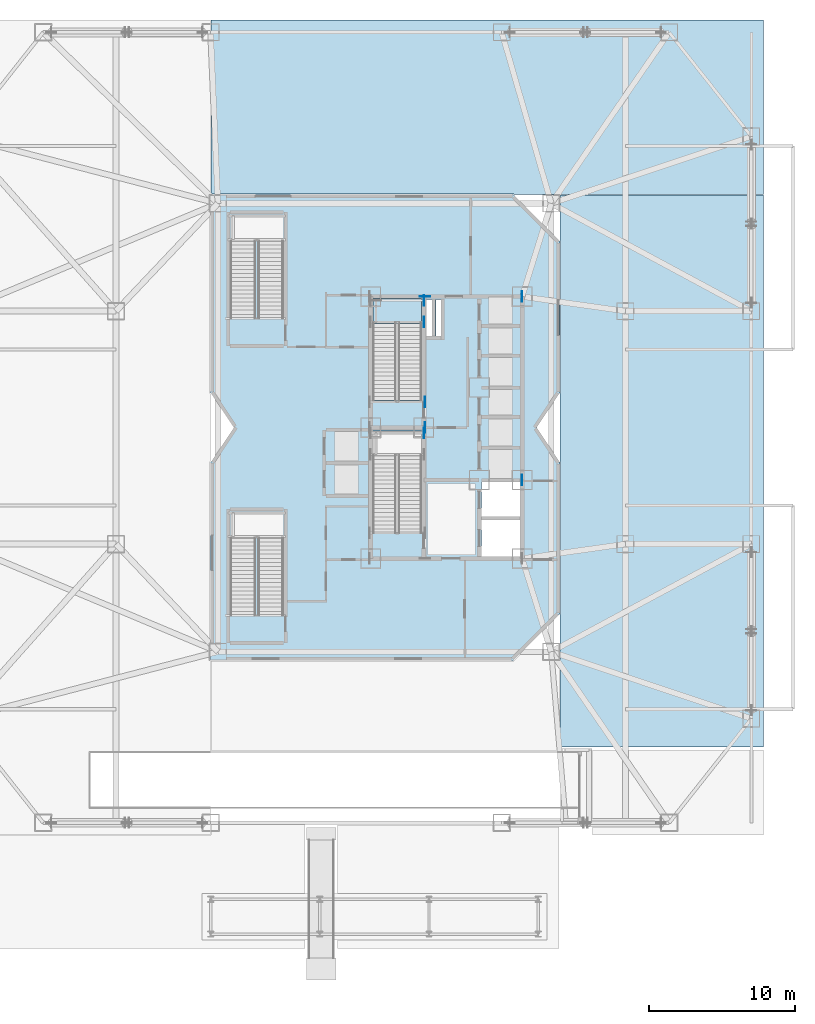
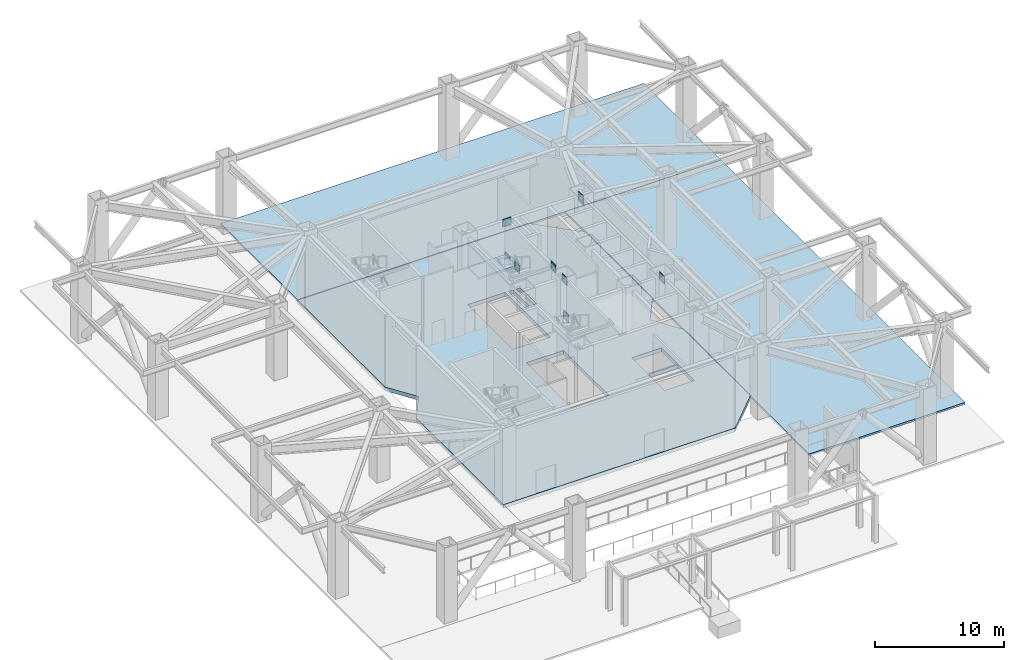
# One storey, part 6 of 14: 9 plates, 4 slabs, 1 element without a shape of its own.
"""IFC4 building model written with IfcOpenShell, lengths in metres."""

import ifcopenshell
import ifcopenshell.guid

model = None  # the IFC model being written
_history = None  # IfcOwnerHistory: only IFC2X3 demands one
_inside = {}  # id of a spatial element -> (the spatial element, [elements in it])
_under = {}  # id of a project, library or spatial element -> (it, [spatial elements below it])
_declared = {}  # id of a project -> (the project, [libraries it declares])
_typed = {}  # id of a type object -> (the type object, [elements of that type])
_made_of = {}  # id of a material, layer set ... -> (it, [elements and type objects made of it])


def new_model(schema):
    """Start an empty IFC model of exactly this schema.

    Asked for "IFC4X3", IfcOpenShell would pick the latest addendum, in which some entities
    have other attributes; the version numbers below select the first issue.
    IFC2X3 requires an IfcOwnerHistory on every rooted entity: one is made here for all.
    """
    global model, _history
    if schema == "IFC4X3":
        model = ifcopenshell.file(schema_version=(4, 3, 0, 0))
    else:
        model = ifcopenshell.file(schema=schema)
    _inside.clear()
    _under.clear()
    _declared.clear()
    _typed.clear()
    _made_of.clear()
    _history = None
    if model.schema == "IFC2X3":
        org = make("IfcOrganization", Name="unknown")
        user = make(
            "IfcPersonAndOrganization",
            ThePerson=make("IfcPerson", FamilyName="unknown"),
            TheOrganization=org,
        )
        app = make(
            "IfcApplication",
            ApplicationDeveloper=org,
            Version="unknown",
            ApplicationFullName="unknown",
            ApplicationIdentifier="unknown",
        )
        _history = make(
            "IfcOwnerHistory",
            OwningUser=user,
            OwningApplication=app,
            ChangeAction="ADDED",
            CreationDate=0,
        )
    return model


def make(cls, **values):
    """One entity of the class cls with the attributes given. An attribute that is None is left unset."""
    return model.create_entity(
        cls, **{name: value for name, value in values.items() if value is not None}
    )


def rooted(cls, **values):
    """An entity with a GlobalId (a new one), such as an element, a storey or a relation."""
    return make(cls, GlobalId=ifcopenshell.guid.new(), OwnerHistory=_history, **values)


def si_unit(unit_type, name, prefix=None):
    """IfcSIUnit, for example si_unit("LENGTHUNIT", "METRE", prefix="MILLI")."""
    return make("IfcSIUnit", UnitType=unit_type, Prefix=prefix, Name=name)


def assignment(units):
    """IfcUnitAssignment: the units of a project."""
    return None if units is None else make("IfcUnitAssignment", Units=units)


def point(xyz):
    """IfcCartesianPoint."""
    return None if xyz is None else make("IfcCartesianPoint", Coordinates=xyz)


def direction(xyz):
    """IfcDirection."""
    return None if xyz is None else make("IfcDirection", DirectionRatios=xyz)


def frame(location, z_axis=None, x_axis=None):
    """IfcAxis2Placement3D, a coordinate frame: its origin and axes. An axis left out is left unset."""
    return make(
        "IfcAxis2Placement3D",
        Location=point(location),
        Axis=direction(z_axis),
        RefDirection=direction(x_axis),
    )


def frame_2d(location, x_axis=None):
    """IfcAxis2Placement2D, a coordinate frame in the plane: its origin and x axis."""
    return make(
        "IfcAxis2Placement2D", Location=point(location), RefDirection=direction(x_axis)
    )


def origin():
    """The frame at (0, 0, 0) with its axes left unset."""
    return frame((0.0, 0.0, 0.0))


def origin_2d():
    """The frame at (0, 0) in the plane with its x axis left unset."""
    return frame_2d((0.0, 0.0))


def place(relative_to, where):
    """IfcLocalPlacement: puts the frame where relative to a parent placement (None: the world)."""
    return make(
        "IfcLocalPlacement", PlacementRelTo=relative_to, RelativePlacement=where
    )


def context(
    kind, dimensions, precision=None, world=None, true_north=None, identifier=None
):
    """IfcGeometricRepresentationContext, for example the 3D "Model" context."""
    return make(
        "IfcGeometricRepresentationContext",
        ContextIdentifier=identifier,
        ContextType=kind,
        CoordinateSpaceDimension=dimensions,
        Precision=precision,
        WorldCoordinateSystem=world,
        TrueNorth=true_north,
    )


def subcontext(parent, identifier, kind, view, scale=None):
    """IfcGeometricRepresentationSubContext, for example "Body" below "Model"."""
    return make(
        "IfcGeometricRepresentationSubContext",
        ContextIdentifier=identifier,
        ContextType=kind,
        ParentContext=parent,
        TargetScale=scale,
        TargetView=view,
    )


def project(units=None, contexts=None):
    """IfcProject with its units and contexts."""
    return rooted(
        "IfcProject",
        Name="project",
        RepresentationContexts=contexts,
        UnitsInContext=assignment(units),
    )


def spatial(cls, under=None, at=None, **own):
    """A site, building, storey or space (cls), placed at a placement, below another one or the project."""
    s = rooted(cls, ObjectPlacement=at, **own)
    if under is not None:
        _under.setdefault(under.id(), (under, []))[1].append(s)
    return s


def polyline(points):
    """IfcPolyline through the points."""
    return make("IfcPolyline", Points=[point(p) for p in points])


def profile(cls, at=None, kind="AREA", **sizes):
    """A parametric profile (cls). Its sizes go by their IFC names, for example OverallWidth=200.0."""
    return make(cls, ProfileType=kind, Position=at, **sizes)


def rectangle(**sizes):
    """IfcRectangleProfileDef."""
    return profile("IfcRectangleProfileDef", **sizes)


def outline(outer, holes=None, kind="AREA"):
    """IfcArbitraryClosedProfileDef: a profile drawn as a closed curve; with holes, ...WithVoids."""
    if holes is None:
        return make("IfcArbitraryClosedProfileDef", ProfileType=kind, OuterCurve=outer)
    return make(
        "IfcArbitraryProfileDefWithVoids",
        ProfileType=kind,
        OuterCurve=outer,
        InnerCurves=holes,
    )


def extrude(swept, where, along, depth):
    """IfcExtrudedAreaSolid: the profile swept, set in the frame where, extruded along a direction by depth."""
    return make(
        "IfcExtrudedAreaSolid",
        SweptArea=swept,
        Position=where,
        ExtrudedDirection=direction(along),
        Depth=depth,
    )


def shape(context_of_items, identifier, shape_type, items):
    """IfcShapeRepresentation: the items that make up one representation, for example the "Body"."""
    return make(
        "IfcShapeRepresentation",
        ContextOfItems=context_of_items,
        RepresentationIdentifier=identifier,
        RepresentationType=shape_type,
        Items=items,
    )


def material(Name=None, Category=None):
    """IfcMaterial."""
    return make("IfcMaterial", Name=Name, Category=Category)


def layer(
    of_material, thickness, ventilated=None, Name=None, Category=None, Priority=None
):
    """IfcMaterialLayer: one layer of a wall or slab, of a material (None: an air gap)."""
    return make(
        "IfcMaterialLayer",
        Material=of_material,
        LayerThickness=thickness,
        IsVentilated=ventilated,
        Name=Name,
        Category=Category,
        Priority=Priority,
    )


def layer_set(layers, Name=None):
    """IfcMaterialLayerSet."""
    return make("IfcMaterialLayerSet", MaterialLayers=layers, LayerSetName=Name)


def made_of(thing, what):
    """Note that an element or type object is made of a material, layer set ...; save() writes the relation."""
    if what is not None:
        _made_of.setdefault(what.id(), (what, []))[1].append(thing)
    return thing


def type_object(cls, material=None, **own):
    """A type object (cls), such as IfcWallType, which elements share."""
    return made_of(rooted(cls, **own), material)


def element(
    cls,
    number,
    at=None,
    inside=None,
    cuts=None,
    type_object=None,
    material=None,
    context=None,
    identifier="Body",
    shape_type=None,
    held_by="IfcProductDefinitionShape",
    body=None,
    shapes=None,
    **own,
):
    """One element of the class cls, such as IfcWall. Its Tag is "e" and its number.

    at: its placement. inside: the storey or other place that contains it. cuts: it is an
    opening in that element (IfcRelVoidsElement). A single representation is given by context,
    identifier, shape_type and body (its items); several are given by shapes. held_by: the class
    of the entity that holds the representations. save() writes the other relations.
    """
    e = rooted(cls, Tag="e%d" % number, ObjectPlacement=at, **own)
    if body is not None:
        shapes = [shape(context, identifier, shape_type, body)]
    if shapes is not None:
        e.Representation = make(held_by, Representations=shapes)
    if inside is not None:
        _inside.setdefault(inside.id(), (inside, []))[1].append(e)
    if cuts is not None:
        rooted(
            "IfcRelVoidsElement", RelatingBuildingElement=cuts, RelatedOpeningElement=e
        )
    if type_object is not None:
        _typed.setdefault(type_object.id(), (type_object, []))[1].append(e)
    return made_of(e, material)


def aggregate(whole, parts):
    """IfcRelAggregates: a whole, such as a stair, and the parts it consists of."""
    return rooted("IfcRelAggregates", RelatingObject=whole, RelatedObjects=parts)


def save(model, path):
    """Write the relations noted so far, then the file.

    IfcRelAggregates (storeys below a building ...), IfcRelContainedInSpatialStructure (elements
    in a storey), IfcRelDefinesByType, IfcRelAssociatesMaterial and IfcRelDeclares: one each for
    every whole, place, type object, material and project.
    """
    for whole, parts in _under.values():
        aggregate(whole, parts)
    for where, things in _inside.values():
        rooted(
            "IfcRelContainedInSpatialStructure",
            RelatedElements=things,
            RelatingStructure=where,
        )
    for kind, things in _typed.values():
        rooted("IfcRelDefinesByType", RelatedObjects=things, RelatingType=kind)
    for what, things in _made_of.values():
        rooted("IfcRelAssociatesMaterial", RelatedObjects=things, RelatingMaterial=what)
    for by, libraries in _declared.values():
        rooted("IfcRelDeclares", RelatingContext=by, RelatedDefinitions=libraries)
    model.write(path)


model = new_model("IFC4")

# Units and contexts
model_context = context("Model", 3, precision=1e-05, world=origin(), true_north=direction((0.0, 1.0)))
body_context = subcontext(model_context, "Body", "Model", "MODEL_VIEW")
ifc_project = project(units=[si_unit("LENGTHUNIT", "METRE"), si_unit("AREAUNIT", "SQUARE_METRE"), si_unit("VOLUMEUNIT", "CUBIC_METRE"), si_unit("PLANEANGLEUNIT", "RADIAN"), si_unit("MASSUNIT", "GRAM", prefix="KILO")], contexts=[model_context])

# Site, building, storey
site_placement = place(None, origin())
site = spatial("IfcSite", under=ifc_project, at=site_placement, CompositionType="ELEMENT")
building_placement = place(site_placement, origin())
building = spatial("IfcBuilding", under=site, at=building_placement, Name="Khamvora Tower", CompositionType="ELEMENT")
storey_placement = place(building_placement, origin())
storey = spatial("IfcBuildingStorey", under=building, at=storey_placement, Name="L00", CompositionType="ELEMENT", Elevation=0.0)

# Plates
ifc_material_1 = material(Name="Steel S460", Category="steel")
ifc_layer_1 = layer(ifc_material_1, 0.034912109375)
ifc_layer_set_1 = layer_set([ifc_layer_1], Name="Steel S460")
plate_type = type_object("IfcPlateType", Name="PL-EMB-35", PredefinedType="SHEET", material=ifc_layer_set_1)
for number, where, z_axis, x_axis, name in (
    (1, (32.64990234375, 27.6298828125, 2.9091796875), (0.0, 0.0, 1.0), (1.0, 0.0, 0.0), "L00 core shear wall cast-in embed plate 0058"),
    (2, (32.64990234375, 35.2548828125, 2.9091796875), (0.0, 0.0, 1.0), (1.0, 0.0, 0.0), "L00 core shear wall cast-in embed plate 0060"),
    (3, (32.64990234375, 36.72998046875, 2.9091796875), (0.0, 0.0, 1.0), (1.0, 0.0, 0.0), "L00 core shear wall cast-in embed plate 0062"),
    (4, (39.39990234375, 37.0, 5.9931640625), (0.0, 0.0, 1.0), (1.0, 0.0, 0.0), "L00 core shear wall cast-in embed plate 0065"),
    (5, (32.72998046875, 28.0, 6.15380859375), (0.0, 0.0, 1.0), (1.0, 0.0, 0.0), "L00 core shear wall cast-in embed plate 0070"),
):
    element("IfcPlate", number, at=place(storey_placement, frame(where, z_axis=z_axis, x_axis=x_axis)), inside=storey, type_object=plate_type, Name=name, PredefinedType="SHEET", context=body_context, shape_type="SweptSolid", body=[
        extrude(rectangle(XDim=0.034912109375, YDim=0.719970703125, at=origin_2d()), origin(), (0.0, 0.0, 1.0), 0.719970703125),
    ])
plate_placement = place(storey_placement, frame((32.72998046875, 37.0, 6.15380859375), z_axis=(0.0, 0.0, 1.0), x_axis=(1.0, 0.0, 0.0)))
element("IfcPlate", 6, at=plate_placement, inside=storey, type_object=plate_type, Name="L00 core shear wall cast-in embed plate 0071", PredefinedType="SHEET", context=body_context, shape_type="SweptSolid", body=[
    extrude(rectangle(XDim=0.719970703125, YDim=0.034912109375, at=origin_2d()), origin(), (0.0, 0.0, 1.0), 0.719970703125),
])
for number, where, z_axis, x_axis, name in (
    (7, (39.39990234375, 24.39990234375, 6.15380859375), (0.0, 0.0, 1.0), (1.0, 0.0, 0.0), "L00 core shear wall cast-in embed plate 0073"),
    (8, (39.39990234375, 37.0, 6.15380859375), (0.0, 0.0, 1.0), (1.0, 0.0, 0.0), "L00 core shear wall cast-in embed plate 0074"),
    (9, (32.72998046875, 29.75, 6.2939453125), (0.0, 0.0, 1.0), (1.0, 0.0, 0.0), "L00 core shear wall cast-in embed plate 0078"),
):
    element("IfcPlate", number, at=place(storey_placement, frame(where, z_axis=z_axis, x_axis=x_axis)), inside=storey, type_object=plate_type, Name=name, PredefinedType="SHEET", context=body_context, shape_type="SweptSolid", body=[
        extrude(rectangle(XDim=0.034912109375, YDim=0.719970703125, at=origin_2d()), origin(), (0.0, 0.0, 1.0), 0.719970703125),
    ])

# Stair, slab
ifc_material_2 = material(Name="Concrete C40/50", Category="concrete")
stair_type = type_object("IfcStairType", Name="STR-ST-02", PredefinedType="HALF_TURN_STAIR", material=ifc_material_2)
stair_placement = place(storey_placement, origin())
stair = element("IfcStair", 10, at=stair_placement, inside=storey, type_object=stair_type, Name="L00 North Tower Exit Stair ST-02", PredefinedType="HALF_TURN_STAIR")
ifc_layer_2 = layer(ifc_material_2, 0.199951171875)
ifc_layer_set_2 = layer_set([ifc_layer_2], Name="Concrete C40/50")
slab_type_1 = type_object("IfcSlabType", Name="SLB-LND-200", PredefinedType="LANDING", material=ifc_layer_set_2)
slab_1_placement = place(storey_placement, frame((0.0, 0.0, 3.39990234375)))
slab_1 = element("IfcSlab", 11, at=slab_1_placement, type_object=slab_type_1, Name="ST-02 landing 1", PredefinedType="LANDING", context=body_context, shape_type="SweptSolid", body=[
    extrude(outline(polyline([(32.5, 35.135009765625), (32.5, 36.85009765625), (29.14990234375, 36.85009765625), (29.14990234375, 35.135009765625), (32.5, 35.135009765625)])), origin(), (0.0, 0.0, 1.0), 0.2001953125),
])
aggregate(stair, [slab_1])

# Slabs
ifc_material_3 = material(Name="Concrete C35/45", Category="concrete")
ifc_layer_3 = layer(ifc_material_3, 0.179931640625)
ifc_layer_set_3 = layer_set([ifc_layer_3], Name="Concrete C35/45")
slab_type_2 = type_object("IfcSlabType", Name="SLB-PAV-180", PredefinedType="USERDEFINED", material=ifc_layer_set_3)
slab_2_placement = place(storey_placement, frame((0.0, 0.0, -0.179931640625)))
element("IfcSlab", 12, at=slab_2_placement, inside=storey, type_object=slab_type_2, Name="L00 flood-protected public plaza paving apron NORTH", ObjectType="PAVING", PredefinedType="USERDEFINED", context=body_context, shape_type="SweptSolid", body=[
    extrude(outline(polyline([(56.0, 56.0), (56.0, 44.0), (38.87109375, 44.0), (38.8349609375, 44.034912109375), (38.83203125, 44.0390625), (38.827880859375, 44.0419921875), (38.823974609375, 44.0439453125), (38.819091796875, 44.0458984375), (38.81494140625, 44.048095703125), (38.81005859375, 44.049072265625), (38.804931640625, 44.050048828125), (38.800048828125, 44.050048828125), (18.010009765625, 44.050048828125), (18.010009765625, 56.0), (56.0, 56.0)])), origin(), (0.0, 0.0, 1.0), 0.179931640625),
])
slab_3_placement = place(storey_placement, frame((0.0, 0.0, -0.179931640625)))
element("IfcSlab", 13, at=slab_3_placement, inside=storey, type_object=slab_type_2, Name="L00 flood-protected public plaza paving apron EAST", ObjectType="PAVING", PredefinedType="USERDEFINED", context=body_context, shape_type="SweptSolid", body=[
    extrude(outline(polyline([(56.0, 6.050048828125), (42.0, 6.050048828125), (42.0, 15.12890625), (42.034912109375, 15.1650390625), (42.0390625, 15.16796875), (42.0419921875, 15.172119140625), (42.0439453125, 15.176025390625), (42.0458984375, 15.180908203125), (42.048095703125, 15.18505859375), (42.049072265625, 15.18994140625), (42.050048828125, 15.195068359375), (42.050048828125, 15.199951171875), (42.050048828125, 25.60009765625), (42.050048828125, 25.60498046875), (42.049072265625, 25.610107421875), (42.048095703125, 25.614013671875), (42.0458984375, 25.618896484375), (42.0439453125, 25.6240234375), (42.0419921875, 25.6279296875), (42.0, 25.68994140625), (42.0, 30.31005859375), (42.0419921875, 30.3720703125), (42.0439453125, 30.3759765625), (42.0458984375, 30.381103515625), (42.048095703125, 30.385986328125), (42.049072265625, 30.389892578125), (42.050048828125, 30.39501953125), (42.050048828125, 30.39990234375), (42.050048828125, 40.800048828125), (42.050048828125, 40.804931640625), (42.049072265625, 40.81005859375), (42.048095703125, 40.81494140625), (42.0458984375, 40.819091796875), (42.0439453125, 40.823974609375), (42.0419921875, 40.827880859375), (42.0390625, 40.83203125), (42.034912109375, 40.8349609375), (42.0, 40.87109375), (42.0, 43.989990234375), (56.0, 43.989990234375), (56.0, 6.050048828125)])), origin(), (0.0, 0.0, 1.0), 0.179931640625),
])
ifc_layer_4 = layer(ifc_material_2, 0.360107421875)
ifc_layer_set_4 = layer_set([ifc_layer_4], Name="Concrete C40/50")
slab_type_3 = type_object("IfcSlabType", Name="SLB-POD-360", PredefinedType="FLOOR", material=ifc_layer_set_4)
slab_4_placement = place(storey_placement, frame((0.0, 0.0, -0.360107421875)))
element("IfcSlab", 14, at=slab_4_placement, inside=storey, type_object=slab_type_3, Name="L00 structural floor slab", PredefinedType="FLOOR", context=body_context, shape_type="SweptSolid", body=[
    extrude(outline(polyline([(18.0, 12.0), (18.0, 15.199951171875), (18.0, 22.800048828125), (18.0, 25.60009765625), (19.60009765625, 28.0), (18.0, 30.39990234375), (18.0, 33.199951171875), (18.0, 40.800048828125), (18.0, 44.0), (21.199951171875, 44.0), (23.60009765625, 44.0), (38.800048828125, 44.0), (42.0, 40.800048828125), (42.0, 30.39990234375), (40.39990234375, 28.0), (42.0, 25.60009765625), (42.0, 15.199951171875), (38.800048828125, 12.0), (23.60009765625, 12.0), (21.199951171875, 12.0), (18.0, 12.0)]), holes=[polyline([(32.5, 20.760009765625), (32.5, 27.75), (29.14990234375, 27.75), (29.14990234375, 20.760009765625), (32.5, 20.760009765625)]), polyline([(32.5, 29.860107421875), (32.5, 36.85009765625), (29.14990234375, 36.85009765625), (29.14990234375, 29.860107421875), (32.5, 29.860107421875)]), polyline([(36.60009765625, 19.14990234375), (39.25, 19.14990234375), (39.25, 21.64990234375), (36.60009765625, 21.64990234375), (36.60009765625, 19.14990234375)]), polyline([(36.60009765625, 21.800048828125), (39.25, 21.800048828125), (39.25, 24.25), (36.60009765625, 24.25), (36.60009765625, 21.800048828125)]), polyline([(32.800048828125, 34.300048828125), (33.199951171875, 34.300048828125), (33.199951171875, 36.800048828125), (32.800048828125, 36.800048828125), (32.800048828125, 34.300048828125)]), polyline([(33.47998046875, 34.300048828125), (33.820068359375, 34.300048828125), (33.820068359375, 36.800048828125), (33.47998046875, 36.800048828125), (33.47998046875, 34.300048828125)])]), origin(), (0.0, 0.0, 1.0), 0.360107421875),
])

save(model, "model.ifc")
